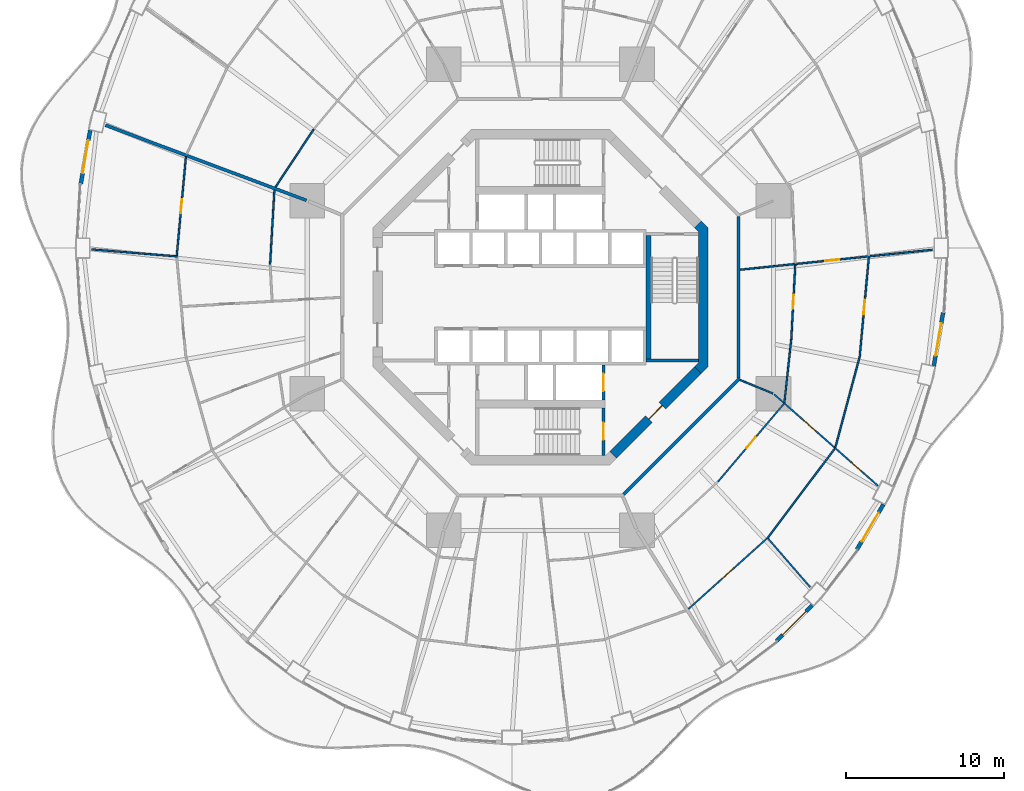
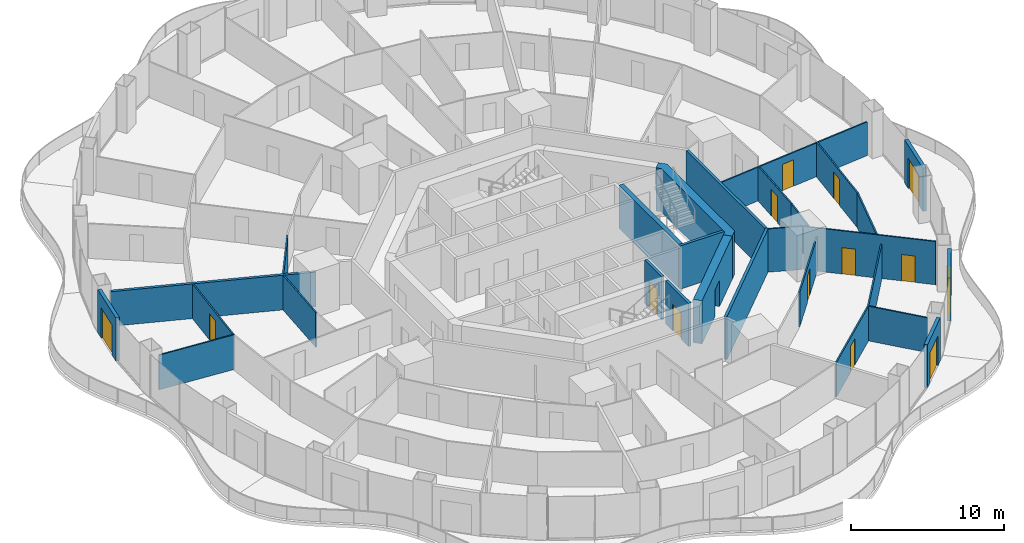
# One storey, part 16 of 22: 28 walls, 15 doors, 15 openings.
"""IFC4 building model written with IfcOpenShell, lengths in metres."""

from ifc_helpers import new_model, si_unit, direction, frame, frame_2d, origin, place, context, subcontext, project, spatial, polyline, rectangle, outline, extrude, material, layer, layer_set, type_object, element, fill, save


model = new_model("IFC4")

# Units and contexts
model_context = context("Model", 3, precision=1e-05, world=origin(), true_north=direction((0.0, 1.0)))
body_context = subcontext(model_context, "Body", "Model", "MODEL_VIEW")
ifc_project = project(units=[si_unit("LENGTHUNIT", "METRE"), si_unit("AREAUNIT", "SQUARE_METRE"), si_unit("VOLUMEUNIT", "CUBIC_METRE"), si_unit("PLANEANGLEUNIT", "RADIAN"), si_unit("MASSUNIT", "GRAM", prefix="KILO")], contexts=[model_context])

# Site, building, storey
site_placement = place(None, origin())
site = spatial("IfcSite", under=ifc_project, at=site_placement, CompositionType="ELEMENT")
building_placement = place(site_placement, origin())
building = spatial("IfcBuilding", under=site, at=building_placement, Name="Nagisa Residences", CompositionType="ELEMENT")
storey_placement = place(building_placement, frame((0.0, 0.0, 106.60009765625)))
storey = spatial("IfcBuildingStorey", under=building, at=storey_placement, Name="L26", CompositionType="ELEMENT", Elevation=106.60009765625)

# Walls
ifc_material_1 = material(Name="Gypsum board on steel studs", Category="steel")
ifc_layer_1 = layer(ifc_material_1, 0.199951171875)
ifc_layer_set_1 = layer_set([ifc_layer_1], Name="Apartment compartment wall EI60 200")
wall_type_1 = type_object("IfcWallType", Name="Apartment compartment wall EI60 200", PredefinedType="PARTITIONING", material=ifc_layer_set_1)
wall_1_placement = place(storey_placement, frame((-14.828857421875, 6.140380859375, 0.0), z_axis=(0.0, 0.0, 1.0), x_axis=(-0.936597324342, 0.35040755134, 0.0)))
element("IfcWall", 1, at=wall_1_placement, inside=storey, type_object=wall_type_1, Name="wall:L26:u03", PredefinedType="PARTITIONING", context=body_context, shape_type="SweptSolid", body=[
    extrude(rectangle(XDim=13.605712890625, YDim=0.199951171875, at=frame_2d((6.802734375, 0.0))), origin(), (0.0, 0.0, 1.0), 2.761962890625),
])
ifc_material_2 = material(Name="Gypsum board on steel studs", Category="steel")
ifc_layer_2 = layer(ifc_material_2, 0.199951171875)
ifc_layer_set_2 = layer_set([ifc_layer_2], Name="Apartment entry wall EI60 200")
wall_type_2 = type_object("IfcWallType", Name="Apartment entry wall EI60 200", PredefinedType="PARTITIONING", material=ifc_layer_set_2)
wall_2_placement = place(storey_placement, frame((12.564697265625, -5.1044921875, 0.0), z_axis=(0.0, 0.0, 1.0), x_axis=(0.0, 1.0, 0.0)))
element("IfcWall", 2, at=wall_2_placement, inside=storey, type_object=wall_type_2, Name="wall:L26:u08", PredefinedType="PARTITIONING", context=body_context, shape_type="SweptSolid", body=[
    extrude(rectangle(XDim=10.208984375, YDim=0.199951171875, at=frame_2d((5.1044921875, 0.0))), origin(), (0.0, 0.0, 1.0), 3.43994140625),
])
wall_3_placement = place(storey_placement, frame((5.275146484375, -12.494140625, 0.0), z_axis=(0.0, 0.0, 1.0), x_axis=(0.707106781187, 0.707106781187, 0.0)))
element("IfcWall", 3, at=wall_3_placement, inside=storey, type_object=wall_type_2, Name="wall:L26:u15", PredefinedType="PARTITIONING", context=body_context, shape_type="SweptSolid", body=[
    extrude(rectangle(XDim=10.4091796875, YDim=0.199951171875, at=frame_2d((5.20458984375, 0.0))), origin(), (0.0, 0.0, 1.0), 3.43994140625),
])

# Wall, opening, door
ifc_material_3 = material(Name="Gypsum board on steel studs", Category="steel")
ifc_layer_3 = layer(ifc_material_3, 0.10009765625)
ifc_layer_set_3 = layer_set([ifc_layer_3], Name="Apartment partition 100")
wall_type_3 = type_object("IfcWallType", Name="Apartment partition 100", PredefinedType="PARTITIONING", material=ifc_layer_set_3)
wall_4_placement = place(storey_placement, frame((12.664306640625, 1.7451171875, 0.0), z_axis=(0.0, 0.0, 1.0), x_axis=(0.994662790212, 0.103179134358, 0.0)))
wall_4 = element("IfcWall", 4, at=wall_4_placement, inside=storey, type_object=wall_type_3, Name="wall:L26:u16", PredefinedType="PARTITIONING", context=body_context, shape_type="SweptSolid", body=[
    extrude(rectangle(XDim=12.2568359375, YDim=0.10009765625, at=frame_2d((6.12841796875, 0.0))), origin(), (0.0, 0.0, 1.0), 2.68701171875),
])
opening_1_placement = place(wall_4_placement, frame((5.413818359375, 0.0, 0.0)))
opening_1 = element("IfcOpeningElement", 5, at=opening_1_placement, cuts=wall_4, Name="Opening L26-U17", PredefinedType="OPENING", context=body_context, shape_type="SweptSolid", body=[
    extrude(rectangle(XDim=0.89990234375, YDim=2.10009765625, at=frame_2d((0.449951171875, 1.050048828125))), frame((0.0, 0.06005859375, 0.0), z_axis=(0.0, -1.0, 0.0), x_axis=(1.0, 0.0, 0.0)), (0.0, 0.0, 1.0), 0.1201171875),
])
ifc_material_4 = material(Name="Timber door set", Category="wood")
door_type_1 = type_object("IfcDoorType", Name="Apartment door 900x2100", OperationType="NOTDEFINED", PredefinedType="DOOR", material=ifc_material_4)
door_1_placement = place(opening_1_placement, frame((0.89990234375, 0.0, 0.0), x_axis=(-1.0, 0.0, 0.0)))
door_1 = element("IfcDoor", 6, at=door_1_placement, inside=storey, type_object=door_type_1, Name="Door to family room, Apartment 26B", OperationType="SINGLE_SWING_RIGHT", OverallHeight=2.10009765625, OverallWidth=0.89990234375, PredefinedType="DOOR", context=body_context, shape_type="SweptSolid", body=[
    extrude(rectangle(XDim=0.89990234375, YDim=2.10009765625, at=frame_2d((0.449951171875, 1.050048828125))), frame((0.0, 0.02490234375, 0.0), z_axis=(0.0, -1.0, 0.0), x_axis=(1.0, 0.0, 0.0)), (0.0, 0.0, 1.0), 0.050048828125),
])
fill(opening_1, door_1)

wall_5_placement = place(storey_placement, frame((16.1611328125, 2.058349609375, 0.0), z_axis=(0.0, 0.0, 1.0), x_axis=(-0.053696394729, -0.998557307916, 0.0)))
wall_5 = element("IfcWall", 7, at=wall_5_placement, inside=storey, type_object=wall_type_3, Name="wall:L26:u18", PredefinedType="PARTITIONING", context=body_context, shape_type="SweptSolid", body=[
    extrude(rectangle(XDim=4.7421875, YDim=0.10009765625, at=frame_2d((2.37109375, 0.0))), origin(), (0.0, 0.0, 1.0), 2.761962890625),
])
opening_2_placement = place(wall_5_placement, frame((1.89599609375, 0.0, 0.0)))
opening_2 = element("IfcOpeningElement", 8, at=opening_2_placement, cuts=wall_5, Name="Opening L26-U20", PredefinedType="OPENING", context=body_context, shape_type="SweptSolid", body=[
    extrude(rectangle(XDim=0.89990234375, YDim=2.10009765625, at=frame_2d((0.449951171875, 1.050048828125))), frame((0.0, 0.06005859375, 0.0), z_axis=(0.0, -1.0, 0.0), x_axis=(1.0, 0.0, 0.0)), (0.0, 0.0, 1.0), 0.1201171875),
])
door_2_placement = place(opening_2_placement, frame((0.89990234375, 0.0, 0.0), x_axis=(-1.0, 0.0, 0.0)))
door_2 = element("IfcDoor", 9, at=door_2_placement, inside=storey, type_object=door_type_1, Name="Door to laundry, Apartment 26B", OperationType="SINGLE_SWING_LEFT", OverallHeight=2.10009765625, OverallWidth=0.89990234375, PredefinedType="DOOR", context=body_context, shape_type="SweptSolid", body=[
    extrude(rectangle(XDim=0.89990234375, YDim=2.10009765625, at=frame_2d((0.449951171875, 1.050048828125))), frame((0.0, 0.02490234375, 0.0), z_axis=(0.0, -1.0, 0.0), x_axis=(1.0, 0.0, 0.0)), (0.0, 0.0, 1.0), 0.050048828125),
])
fill(opening_2, door_2)

wall_6_placement = place(storey_placement, frame((20.824951171875, 2.54248046875, 0.0), z_axis=(0.0, 0.0, 1.0), x_axis=(-0.09140211812, -0.995814065377, 0.0)))
wall_6 = element("IfcWall", 10, at=wall_6_placement, inside=storey, type_object=wall_type_3, Name="wall:L26:u20", PredefinedType="PARTITIONING", context=body_context, shape_type="SweptSolid", body=[
    extrude(rectangle(XDim=6.402587890625, YDim=0.10009765625, at=frame_2d((3.201171875, 0.0))), origin(), (0.0, 0.0, 1.0), 2.761962890625),
])
opening_3_placement = place(wall_6_placement, frame((2.726318359375, 0.0, 0.0)))
opening_3 = element("IfcOpeningElement", 11, at=opening_3_placement, cuts=wall_6, Name="Opening L26-U19", PredefinedType="OPENING", context=body_context, shape_type="SweptSolid", body=[
    extrude(rectangle(XDim=0.89990234375, YDim=2.10009765625, at=frame_2d((0.449951171875, 1.050048828125))), frame((0.0, 0.06005859375, 0.0), z_axis=(0.0, -1.0, 0.0), x_axis=(1.0, 0.0, 0.0)), (0.0, 0.0, 1.0), 0.1201171875),
])
door_3_placement = place(opening_3_placement, origin())
door_3 = element("IfcDoor", 12, at=door_3_placement, inside=storey, type_object=door_type_1, Name="Door to living room, Apartment 26B", OperationType="SINGLE_SWING_LEFT", OverallHeight=2.10009765625, OverallWidth=0.89990234375, PredefinedType="DOOR", context=body_context, shape_type="SweptSolid", body=[
    extrude(rectangle(XDim=0.89990234375, YDim=2.10009765625, at=frame_2d((0.449951171875, 1.050048828125))), frame((0.0, 0.02490234375, 0.0), z_axis=(0.0, -1.0, 0.0), x_axis=(1.0, 0.0, 0.0)), (0.0, 0.0, 1.0), 0.050048828125),
])
fill(opening_3, door_3)

# Walls
wall_7_placement = place(storey_placement, frame((-14.370849609375, 10.64501953125, 0.0), z_axis=(0.0, 0.0, 1.0), x_axis=(-0.553341009285, -0.832954817168, 0.0)))
element("IfcWall", 13, at=wall_7_placement, inside=storey, type_object=wall_type_3, Name="wall:L26:u51", PredefinedType="PARTITIONING", context=body_context, shape_type="SweptSolid", body=[
    extrude(rectangle(XDim=4.396240234375, YDim=0.10009765625, at=frame_2d((2.1982421875, 0.0))), origin(), (0.0, 0.0, 1.0), 2.761962890625),
])
wall_8_placement = place(storey_placement, frame((-16.864501953125, 6.800048828125, 0.0), z_axis=(0.0, 0.0, 1.0), x_axis=(-0.05777584434, -0.998329580755, 0.0)))
element("IfcWall", 14, at=wall_8_placement, inside=storey, type_object=wall_type_3, Name="wall:L26:u54", PredefinedType="PARTITIONING", context=body_context, shape_type="SweptSolid", body=[
    extrude(rectangle(XDim=4.74951171875, YDim=0.10009765625, at=frame_2d((2.374755859375, 0.0))), origin(), (0.0, 0.0, 1.0), 2.761962890625),
])

# Wall, opening, door
wall_9_placement = place(storey_placement, frame((-22.47412109375, 8.897705078125, 0.0), z_axis=(0.0, 0.0, 1.0), x_axis=(-0.092756864489, -0.995688788774, 0.0)))
wall_9 = element("IfcWall", 15, at=wall_9_placement, inside=storey, type_object=wall_type_3, Name="wall:L26:u55", PredefinedType="PARTITIONING", context=body_context, shape_type="SweptSolid", body=[
    extrude(rectangle(XDim=6.28271484375, YDim=0.10009765625, at=frame_2d((3.141357421875, 0.0))), origin(), (0.0, 0.0, 1.0), 2.761962890625),
])
opening_4_placement = place(wall_9_placement, frame((2.69140625, 0.0, 0.0)))
opening_4 = element("IfcOpeningElement", 16, at=opening_4_placement, cuts=wall_9, Name="Opening L26-U46", PredefinedType="OPENING", context=body_context, shape_type="SweptSolid", body=[
    extrude(rectangle(XDim=0.89990234375, YDim=2.10009765625, at=frame_2d((0.449951171875, 1.050048828125))), frame((0.0, 0.06005859375, 0.0), z_axis=(0.0, -1.0, 0.0), x_axis=(1.0, 0.0, 0.0)), (0.0, 0.0, 1.0), 0.1201171875),
])
door_4_placement = place(opening_4_placement, frame((0.89990234375, 0.0, 0.0), x_axis=(-1.0, 0.0, 0.0)))
door_4 = element("IfcDoor", 17, at=door_4_placement, inside=storey, type_object=door_type_1, Name="Door to master bedroom, Apartment 26D", OperationType="SINGLE_SWING_LEFT", OverallHeight=2.10009765625, OverallWidth=0.89990234375, PredefinedType="DOOR", context=body_context, shape_type="SweptSolid", body=[
    extrude(rectangle(XDim=0.89990234375, YDim=2.10009765625, at=frame_2d((0.449951171875, 1.050048828125))), frame((0.0, 0.02490234375, 0.0), z_axis=(0.0, -1.0, 0.0), x_axis=(1.0, 0.0, 0.0)), (0.0, 0.0, 1.0), 0.050048828125),
])
fill(opening_4, door_4)

# Wall
wall_10_placement = place(storey_placement, frame((-23.01171875, 2.588134765625, 0.0), z_axis=(0.0, 0.0, 1.0), x_axis=(-0.996680765347, 0.081409164031, 0.0)))
element("IfcWall", 18, at=wall_10_placement, inside=storey, type_object=wall_type_3, Name="wall:L26:u57", PredefinedType="PARTITIONING", context=body_context, shape_type="SweptSolid", body=[
    extrude(rectangle(XDim=5.4580078125, YDim=0.10009765625, at=frame_2d((2.72900390625, 0.0))), origin(), (0.0, 0.0, 1.0), 2.761962890625),
])

# Wall, opening, door
wall_11_placement = place(storey_placement, frame((9.384033203125, -19.767578125, 0.0), z_axis=(0.0, 0.0, 1.0), x_axis=(0.74387407395, 0.668319805262, 0.0)))
wall_11 = element("IfcWall", 19, at=wall_11_placement, inside=storey, type_object=wall_type_3, Name="wall:L26:u84", PredefinedType="PARTITIONING", context=body_context, shape_type="SweptSolid", body=[
    extrude(rectangle(XDim=6.6953125, YDim=0.10009765625, at=frame_2d((3.34765625, 0.0))), origin(), (0.0, 0.0, 1.0), 2.761962890625),
])
opening_5_placement = place(wall_11_placement, frame((2.897705078125, 0.0, 0.0)))
opening_5 = element("IfcOpeningElement", 20, at=opening_5_placement, cuts=wall_11, Name="Opening L26-U22", PredefinedType="OPENING", context=body_context, shape_type="SweptSolid", body=[
    extrude(rectangle(XDim=0.89990234375, YDim=2.10009765625, at=frame_2d((0.449951171875, 1.050048828125))), frame((0.0, 0.06005859375, 0.0), z_axis=(0.0, -1.0, 0.0), x_axis=(1.0, 0.0, 0.0)), (0.0, 0.0, 1.0), 0.1201171875),
])
door_5_placement = place(opening_5_placement, frame((0.89990234375, 0.0, 0.0), x_axis=(-1.0, 0.0, 0.0)))
door_5 = element("IfcDoor", 21, at=door_5_placement, inside=storey, type_object=door_type_1, Name="Door to kitchen, Apartment 26B", OperationType="SINGLE_SWING_LEFT", OverallHeight=2.10009765625, OverallWidth=0.89990234375, PredefinedType="DOOR", context=body_context, shape_type="SweptSolid", body=[
    extrude(rectangle(XDim=0.89990234375, YDim=2.10009765625, at=frame_2d((0.449951171875, 1.050048828125))), frame((0.0, 0.02490234375, 0.0), z_axis=(0.0, -1.0, 0.0), x_axis=(1.0, 0.0, 0.0)), (0.0, 0.0, 1.0), 0.050048828125),
])
fill(opening_5, door_5)

wall_12_placement = place(storey_placement, frame((11.2548828125, -11.698974609375, 0.0), z_axis=(0.0, 0.0, 1.0), x_axis=(0.64610637779, 0.763247370503, 0.0)))
wall_12 = element("IfcWall", 22, at=wall_12_placement, inside=storey, type_object=wall_type_3, Name="wall:L26:u85", PredefinedType="PARTITIONING", context=body_context, shape_type="SweptSolid", body=[
    extrude(rectangle(XDim=6.467041015625, YDim=0.10009765625, at=frame_2d((3.2333984375, 0.0))), origin(), (0.0, 0.0, 1.0), 2.761962890625),
])
opening_6_placement = place(wall_12_placement, frame((2.80859375, 0.0, 0.0)))
opening_6 = element("IfcOpeningElement", 23, at=opening_6_placement, cuts=wall_12, Name="Opening L26-U24", PredefinedType="OPENING", context=body_context, shape_type="SweptSolid", body=[
    extrude(rectangle(XDim=0.89990234375, YDim=2.10009765625, at=frame_2d((0.449951171875, 1.050048828125))), frame((0.0, 0.06005859375, 0.0), z_axis=(0.0, -1.0, 0.0), x_axis=(1.0, 0.0, 0.0)), (0.0, 0.0, 1.0), 0.1201171875),
])
door_6_placement = place(opening_6_placement, origin())
door_6 = element("IfcDoor", 24, at=door_6_placement, inside=storey, type_object=door_type_1, Name="Door to store, Apartment 26B", OperationType="SINGLE_SWING_RIGHT", OverallHeight=2.10009765625, OverallWidth=0.89990234375, PredefinedType="DOOR", context=body_context, shape_type="SweptSolid", body=[
    extrude(rectangle(XDim=0.89990234375, YDim=2.10009765625, at=frame_2d((0.449951171875, 1.050048828125))), frame((0.0, 0.02490234375, 0.0), z_axis=(0.0, -1.0, 0.0), x_axis=(1.0, 0.0, 0.0)), (0.0, 0.0, 1.0), 0.050048828125),
])
fill(opening_6, door_6)

# Walls
wall_13_placement = place(storey_placement, frame((14.4345703125, -15.29736328125, 0.0), z_axis=(0.0, 0.0, 1.0), x_axis=(0.654405107766, -0.756144136345, 0.0)))
element("IfcWall", 25, at=wall_13_placement, inside=storey, type_object=wall_type_3, Name="wall:L26:u86", PredefinedType="PARTITIONING", context=body_context, shape_type="SweptSolid", body=[
    extrude(rectangle(XDim=4.06982421875, YDim=0.10009765625, at=frame_2d((2.034912109375, 0.0))), origin(), (0.0, 0.0, 1.0), 2.761962890625),
])
wall_14_placement = place(storey_placement, frame((14.371826171875, -15.299560546875, 0.0), z_axis=(0.0, 0.0, 1.0), x_axis=(0.600996629562, 0.79925155693, 0.0)))
element("IfcWall", 26, at=wall_14_placement, inside=storey, type_object=wall_type_3, Name="wall:L26:u87", PredefinedType="PARTITIONING", context=body_context, shape_type="SweptSolid", body=[
    extrude(rectangle(XDim=7.130126953125, YDim=0.10009765625, at=frame_2d((3.56494140625, 0.0))), origin(), (0.0, 0.0, 1.0), 2.761962890625),
])
wall_15_placement = place(storey_placement, frame((12.6572265625, -5.24267578125, 0.0), z_axis=(0.0, 0.0, 1.0), x_axis=(0.923848837015, -0.382757529444, 0.0)))
element("IfcWall", 27, at=wall_15_placement, inside=storey, type_object=wall_type_3, Name="wall:L26:u88", PredefinedType="PARTITIONING", context=body_context, shape_type="SweptSolid", body=[
    extrude(rectangle(XDim=2.249755859375, YDim=0.10009765625, at=frame_2d((1.125, 0.0))), origin(), (0.0, 0.0, 1.0), 3.43994140625),
])

# Wall, openings, doors
wall_16_placement = place(storey_placement, frame((14.819580078125, -6.156005859375, 0.0), z_axis=(0.0, 0.0, 1.0), x_axis=(0.750582231659, -0.660777052808, 0.0)))
wall_16 = element("IfcWall", 28, at=wall_16_placement, inside=storey, type_object=wall_type_3, Name="wall:L26:u89", PredefinedType="PARTITIONING", context=body_context, shape_type="SweptSolid", body=[
    extrude(rectangle(XDim=8.781005859375, YDim=0.10009765625, at=frame_2d((4.390625, 0.0))), origin(), (0.0, 0.0, 1.0), 3.43994140625),
])
opening_7_placement = place(wall_16_placement, frame((2.556884765625, 0.0, 0.0)))
opening_7 = element("IfcOpeningElement", 29, at=opening_7_placement, cuts=wall_16, Name="Opening L26-U21", PredefinedType="OPENING", context=body_context, shape_type="SweptSolid", body=[
    extrude(rectangle(XDim=0.89990234375, YDim=2.10009765625, at=frame_2d((0.449951171875, 1.050048828125))), frame((0.0, 0.06005859375, 0.0), z_axis=(0.0, -1.0, 0.0), x_axis=(1.0, 0.0, 0.0)), (0.0, 0.0, 1.0), 0.1201171875),
])
opening_8_placement = place(wall_16_placement, frame((6.516845703125, 0.0, 0.0)))
opening_8 = element("IfcOpeningElement", 30, at=opening_8_placement, cuts=wall_16, Name="Opening L26-U23", PredefinedType="OPENING", context=body_context, shape_type="SweptSolid", body=[
    extrude(rectangle(XDim=0.89990234375, YDim=2.10009765625, at=frame_2d((0.449951171875, 1.050048828125))), frame((0.0, 0.06005859375, 0.0), z_axis=(0.0, -1.0, 0.0), x_axis=(1.0, 0.0, 0.0)), (0.0, 0.0, 1.0), 0.1201171875),
])
door_7_placement = place(opening_7_placement, frame((0.89990234375, 0.0, 0.0), x_axis=(-1.0, 0.0, 0.0)))
door_7 = element("IfcDoor", 31, at=door_7_placement, inside=storey, type_object=door_type_1, Name="Door to dining room, Apartment 26B", OperationType="SINGLE_SWING_RIGHT", OverallHeight=2.10009765625, OverallWidth=0.89990234375, PredefinedType="DOOR", context=body_context, shape_type="SweptSolid", body=[
    extrude(rectangle(XDim=0.89990234375, YDim=2.10009765625, at=frame_2d((0.449951171875, 1.050048828125))), frame((0.0, 0.02490234375, 0.0), z_axis=(0.0, -1.0, 0.0), x_axis=(1.0, 0.0, 0.0)), (0.0, 0.0, 1.0), 0.050048828125),
])
fill(opening_7, door_7)
door_8_placement = place(opening_8_placement, frame((0.89990234375, 0.0, 0.0), x_axis=(-1.0, 0.0, 0.0)))
door_8 = element("IfcDoor", 32, at=door_8_placement, inside=storey, type_object=door_type_1, Name="Door to master bedroom, Apartment 26B", OperationType="SINGLE_SWING_RIGHT", OverallHeight=2.10009765625, OverallWidth=0.89990234375, PredefinedType="DOOR", context=body_context, shape_type="SweptSolid", body=[
    extrude(rectangle(XDim=0.89990234375, YDim=2.10009765625, at=frame_2d((0.449951171875, 1.050048828125))), frame((0.0, 0.02490234375, 0.0), z_axis=(0.0, -1.0, 0.0), x_axis=(1.0, 0.0, 0.0)), (0.0, 0.0, 1.0), 0.050048828125),
])
fill(opening_8, door_8)

# Walls
wall_17_placement = place(storey_placement, frame((15.47119140625, -6.675048828125, 0.0), z_axis=(0.0, 0.0, 1.0), x_axis=(0.107572661837, 0.994197225114, 0.0)))
element("IfcWall", 33, at=wall_17_placement, inside=storey, type_object=wall_type_3, Name="wall:L26:u90", PredefinedType="PARTITIONING", context=body_context, shape_type="SweptSolid", body=[
    extrude(rectangle(XDim=4.021728515625, YDim=0.10009765625, at=frame_2d((2.0107421875, 0.0))), origin(), (0.0, 0.0, 1.0), 2.761962890625),
])
wall_18_placement = place(storey_placement, frame((18.7001953125, -9.512451171875, 0.0), z_axis=(0.0, 0.0, 1.0), x_axis=(0.260265138035, 0.965537186194, 0.0)))
element("IfcWall", 34, at=wall_18_placement, inside=storey, type_object=wall_type_3, Name="wall:L26:u91", PredefinedType="PARTITIONING", context=body_context, shape_type="SweptSolid", body=[
    extrude(rectangle(XDim=5.883544921875, YDim=0.10009765625, at=frame_2d((2.94189453125, 0.0))), origin(), (0.0, 0.0, 1.0), 2.761962890625),
])

# Wall, opening, door
ifc_material_5 = material(Name="Precast concrete C40/50", Category="concrete")
ifc_layer_4 = layer(ifc_material_5, 0.25)
ifc_layer_set_4 = layer_set([ifc_layer_4], Name="BALCONY DOOR WALL 250")
wall_type_4 = type_object("IfcWallType", Name="BALCONY DOOR WALL 250", PredefinedType="SOLIDWALL", material=ifc_layer_set_4)
wall_19_placement = place(storey_placement, frame((-29.135009765625, 7.209716796875, 0.0), z_axis=(0.0, 0.0, 1.0), x_axis=(0.17223289558, 0.985056257114, 0.0)))
wall_19 = element("IfcWall", 35, at=wall_19_placement, inside=storey, type_object=wall_type_4, Name="wall:L26:bay22", PredefinedType="SOLIDWALL", context=body_context, shape_type="SweptSolid", body=[
    extrude(rectangle(XDim=3.454345703125, YDim=0.25, at=frame_2d((1.72705078125, 0.0))), origin(), (0.0, 0.0, 1.0), 3.43994140625),
])
opening_9_placement = place(wall_19_placement, frame((0.67724609375, 0.0, 0.0)))
opening_9 = element("IfcOpeningElement", 36, at=opening_9_placement, cuts=wall_19, Name="Opening BD-L26-08", PredefinedType="OPENING", context=body_context, shape_type="SweptSolid", body=[
    extrude(rectangle(XDim=2.10009765625, YDim=2.39990234375, at=frame_2d((1.050048828125, 1.199951171875))), frame((0.0, 0.135009765625, 0.0), z_axis=(0.0, -1.0, 0.0), x_axis=(1.0, 0.0, 0.0)), (0.0, 0.0, 1.0), 0.27001953125),
])
ifc_material_6 = material(Name="Aluminium and clear glass", Category="aluminium")
door_type_2 = type_object("IfcDoorType", Name="BALCONY SLIDING DOOR 2100x2400", OperationType="SLIDING_TO_LEFT", PredefinedType="DOOR", material=ifc_material_6)
door_9_placement = place(opening_9_placement, origin())
door_9 = element("IfcDoor", 37, at=door_9_placement, inside=storey, type_object=door_type_2, Name="door:L26:bay22", OperationType="SLIDING_TO_LEFT", OverallHeight=2.39990234375, OverallWidth=2.10009765625, PredefinedType="DOOR", context=body_context, shape_type="SweptSolid", body=[
    extrude(rectangle(XDim=2.10009765625, YDim=2.39990234375, at=frame_2d((1.050048828125, 1.199951171875))), frame((0.0, 0.02490234375, 0.0), z_axis=(0.0, -1.0, 0.0), x_axis=(1.0, 0.0, 0.0)), (0.0, 0.0, 1.0), 0.050048828125),
])
fill(opening_9, door_9)

wall_20_placement = place(storey_placement, frame((17.23486328125, -19.537353515625, 0.0), z_axis=(0.0, 0.0, 1.0), x_axis=(-0.707793551437, -0.706419343269, 0.0)))
wall_20 = element("IfcWall", 38, at=wall_20_placement, inside=storey, type_object=wall_type_4, Name="wall:L26:bay41", PredefinedType="SOLIDWALL", context=body_context, shape_type="SweptSolid", body=[
    extrude(rectangle(XDim=3.19775390625, YDim=0.25, at=frame_2d((1.598876953125, 0.0))), origin(), (0.0, 0.0, 1.0), 3.43994140625),
])
opening_10_placement = place(wall_20_placement, frame((0.548828125, 0.0, 0.0)))
opening_10 = element("IfcOpeningElement", 39, at=opening_10_placement, cuts=wall_20, Name="Opening BD-L26-14", PredefinedType="OPENING", context=body_context, shape_type="SweptSolid", body=[
    extrude(rectangle(XDim=2.10009765625, YDim=2.39990234375, at=frame_2d((1.050048828125, 1.199951171875))), frame((0.0, 0.135009765625, 0.0), z_axis=(0.0, -1.0, 0.0), x_axis=(1.0, 0.0, 0.0)), (0.0, 0.0, 1.0), 0.27001953125),
])
door_10_placement = place(opening_10_placement, origin())
door_10 = element("IfcDoor", 40, at=door_10_placement, inside=storey, type_object=door_type_2, Name="door:L26:bay41", OperationType="SLIDING_TO_LEFT", OverallHeight=2.39990234375, OverallWidth=2.10009765625, PredefinedType="DOOR", context=body_context, shape_type="SweptSolid", body=[
    extrude(rectangle(XDim=2.10009765625, YDim=2.39990234375, at=frame_2d((1.050048828125, 1.199951171875))), frame((0.0, 0.02490234375, 0.0), z_axis=(0.0, -1.0, 0.0), x_axis=(1.0, 0.0, 0.0)), (0.0, 0.0, 1.0), 0.050048828125),
])
fill(opening_10, door_10)

wall_21_placement = place(storey_placement, frame((21.74755859375, -13.136962890625, 0.0), z_axis=(0.0, 0.0, 1.0), x_axis=(-0.506297921217, -0.862358634775, 0.0)))
wall_21 = element("IfcWall", 41, at=wall_21_placement, inside=storey, type_object=wall_type_4, Name="wall:L26:bay43", PredefinedType="SOLIDWALL", context=body_context, shape_type="SweptSolid", body=[
    extrude(rectangle(XDim=3.32470703125, YDim=0.25, at=frame_2d((1.662353515625, 0.0))), origin(), (0.0, 0.0, 1.0), 3.43994140625),
])
opening_11_placement = place(wall_21_placement, frame((0.6123046875, 0.0, 0.0)))
opening_11 = element("IfcOpeningElement", 42, at=opening_11_placement, cuts=wall_21, Name="Opening BD-L26-15", PredefinedType="OPENING", context=body_context, shape_type="SweptSolid", body=[
    extrude(rectangle(XDim=2.10009765625, YDim=2.39990234375, at=frame_2d((1.050048828125, 1.199951171875))), frame((0.0, 0.135009765625, 0.0), z_axis=(0.0, -1.0, 0.0), x_axis=(1.0, 0.0, 0.0)), (0.0, 0.0, 1.0), 0.27001953125),
])
door_11_placement = place(opening_11_placement, origin())
door_11 = element("IfcDoor", 43, at=door_11_placement, inside=storey, type_object=door_type_2, Name="door:L26:bay43", OperationType="SLIDING_TO_LEFT", OverallHeight=2.39990234375, OverallWidth=2.10009765625, PredefinedType="DOOR", context=body_context, shape_type="SweptSolid", body=[
    extrude(rectangle(XDim=2.10009765625, YDim=2.39990234375, at=frame_2d((1.050048828125, 1.199951171875))), frame((0.0, 0.02490234375, 0.0), z_axis=(0.0, -1.0, 0.0), x_axis=(1.0, 0.0, 0.0)), (0.0, 0.0, 1.0), 0.050048828125),
])
fill(opening_11, door_11)

wall_22_placement = place(storey_placement, frame((25.534912109375, -0.974365234375, 0.0), z_axis=(0.0, 0.0, 1.0), x_axis=(-0.172164316671, -0.985068245385, 0.0)))
wall_22 = element("IfcWall", 44, at=wall_22_placement, inside=storey, type_object=wall_type_4, Name="wall:L26:bay46", PredefinedType="SOLIDWALL", context=body_context, shape_type="SweptSolid", body=[
    extrude(rectangle(XDim=3.454345703125, YDim=0.25, at=frame_2d((1.72705078125, 0.0))), origin(), (0.0, 0.0, 1.0), 3.43994140625),
])
opening_12_placement = place(wall_22_placement, frame((0.67724609375, 0.0, 0.0)))
opening_12 = element("IfcOpeningElement", 45, at=opening_12_placement, cuts=wall_22, Name="Opening BD-L26-16", PredefinedType="OPENING", context=body_context, shape_type="SweptSolid", body=[
    extrude(rectangle(XDim=2.10009765625, YDim=2.39990234375, at=frame_2d((1.050048828125, 1.199951171875))), frame((0.0, 0.135009765625, 0.0), z_axis=(0.0, -1.0, 0.0), x_axis=(1.0, 0.0, 0.0)), (0.0, 0.0, 1.0), 0.27001953125),
])
door_12_placement = place(opening_12_placement, origin())
door_12 = element("IfcDoor", 46, at=door_12_placement, inside=storey, type_object=door_type_2, Name="door:L26:bay46", OperationType="SLIDING_TO_LEFT", OverallHeight=2.39990234375, OverallWidth=2.10009765625, PredefinedType="DOOR", context=body_context, shape_type="SweptSolid", body=[
    extrude(rectangle(XDim=2.10009765625, YDim=2.39990234375, at=frame_2d((1.050048828125, 1.199951171875))), frame((0.0, 0.02490234375, 0.0), z_axis=(0.0, -1.0, 0.0), x_axis=(1.0, 0.0, 0.0)), (0.0, 0.0, 1.0), 0.050048828125),
])
fill(opening_12, door_12)

ifc_material_7 = material(Name="Concrete C60", Category="concrete")
ifc_layer_5 = layer(ifc_material_7, 0.60009765625)
ifc_layer_set_5 = layer_set([ifc_layer_5], Name="Core shear wall 600")
wall_type_5 = type_object("IfcWallType", Name="Core shear wall 600", PredefinedType="SHEAR", material=ifc_layer_set_5)
wall_23_placement = place(storey_placement, frame((4.613037109375, -9.98828125, 0.0), z_axis=(0.0, 0.0, 1.0), x_axis=(0.707106781187, 0.707106781187, 0.0)))
wall_23 = element("IfcWall", 47, at=wall_23_placement, inside=storey, type_object=wall_type_5, Name="wall:L26:core:flat7", PredefinedType="SHEAR", context=body_context, shape_type="SweptSolid", body=[
    extrude(rectangle(XDim=7.601806640625, YDim=0.60009765625, at=frame_2d((3.80078125, 0.0))), origin(), (0.0, 0.0, 1.0), 3.43994140625),
])
opening_13_placement = place(wall_23_placement, frame((3.200927734375, 0.0, 0.0)))
opening_13 = element("IfcOpeningElement", 48, at=opening_13_placement, cuts=wall_23, Name="Opening L26-C18", PredefinedType="OPENING", context=body_context, shape_type="SweptSolid", body=[
    extrude(rectangle(XDim=1.199951171875, YDim=2.10009765625, at=frame_2d((0.60009765625, 1.050048828125))), frame((0.0, 0.31005859375, 0.0), z_axis=(0.0, -1.0, 0.0), x_axis=(1.0, 0.0, 0.0)), (0.0, 0.0, 1.0), 0.6201171875),
])
ifc_material_8 = material(Name="Steel fire door", Category="steel")
door_type_3 = type_object("IfcDoorType", Name="Fire door EI60 1200x2100 single swing", OperationType="NOTDEFINED", PredefinedType="DOOR", material=ifc_material_8)
door_13_placement = place(opening_13_placement, origin())
door_13 = element("IfcDoor", 49, at=door_13_placement, inside=storey, type_object=door_type_3, Name="Firefighting lobby 2 door L26", OperationType="SINGLE_SWING_RIGHT", OverallHeight=2.10009765625, OverallWidth=1.199951171875, PredefinedType="DOOR", context=body_context, shape_type="SweptSolid", body=[
    extrude(rectangle(XDim=1.199951171875, YDim=2.10009765625, at=frame_2d((0.60009765625, 1.050048828125))), frame((0.0, 0.02490234375, 0.0), z_axis=(0.0, -1.0, 0.0), x_axis=(1.0, 0.0, 0.0)), (0.0, 0.0, 1.0), 0.050048828125),
])
fill(opening_13, door_13)

# Wall
wall_24_placement = place(storey_placement, origin())
element("IfcWall", 50, at=wall_24_placement, inside=storey, type_object=wall_type_5, Name="wall:L26:core:flat0", PredefinedType="SHEAR", context=body_context, shape_type="SweptSolid", body=[
    extrude(outline(polyline([(9.776123046875, -4.40087890625), (10.024658203125, -4.15234375), (10.024658203125, -3.801025390625), (10.024658203125, 4.15234375), (9.776123046875, 4.40087890625), (10.200439453125, 4.8251953125), (10.62451171875, 4.40087890625), (10.62451171875, -4.40087890625), (10.200439453125, -4.8251953125), (9.776123046875, -4.40087890625)])), origin(), (0.0, 0.0, 1.0), 3.43994140625),
])

# Wall, opening, door
ifc_material_9 = material(Name="Concrete C60", Category="concrete")
ifc_layer_6 = layer(ifc_material_9, 0.199951171875)
ifc_layer_set_6 = layer_set([ifc_layer_6], Name="Lift shaft wall 200")
wall_type_6 = type_object("IfcWallType", Name="Lift shaft wall 200", PredefinedType="SOLIDWALL", material=ifc_layer_set_6)
wall_25_placement = place(storey_placement, frame((4.0, -6.5, 0.0), z_axis=(0.0, 0.0, 1.0), x_axis=(0.0, 1.0, 0.0)))
wall_25 = element("IfcWall", 51, at=wall_25_placement, inside=storey, type_object=wall_type_6, Name="wall:L26:Sb3", PredefinedType="SOLIDWALL", context=body_context, shape_type="SweptSolid", body=[
    extrude(rectangle(XDim=2.199951171875, YDim=0.199951171875, at=frame_2d((1.10009765625, 0.0))), origin(), (0.0, 0.0, 1.0), 3.43994140625),
])
opening_14_placement = place(wall_25_placement, frame((0.550048828125, 0.0, 0.0)))
opening_14 = element("IfcOpeningElement", 52, at=opening_14_placement, cuts=wall_25, Name="Opening L26-C07", PredefinedType="OPENING", context=body_context, shape_type="SweptSolid", body=[
    extrude(rectangle(XDim=1.10009765625, YDim=2.10009765625, at=frame_2d((0.550048828125, 1.050048828125))), frame((0.0, 0.10986328125, 0.0), z_axis=(0.0, -1.0, 0.0), x_axis=(1.0, 0.0, 0.0)), (0.0, 0.0, 1.0), 0.219970703125),
])
ifc_material_10 = material(Name="Stainless steel", Category="steel")
door_type_4 = type_object("IfcDoorType", Name="Lift landing door 1100x2100", OperationType="DOUBLE_DOOR_SLIDING", PredefinedType="DOOR", material=ifc_material_10)
door_14_placement = place(opening_14_placement, origin())
door_14 = element("IfcDoor", 53, at=door_14_placement, inside=storey, type_object=door_type_4, Name="Landing door FL2 L26", OperationType="DOUBLE_DOOR_SLIDING", OverallHeight=2.10009765625, OverallWidth=1.10009765625, PredefinedType="DOOR", context=body_context, shape_type="SweptSolid", body=[
    extrude(rectangle(XDim=1.10009765625, YDim=2.10009765625, at=frame_2d((0.550048828125, 1.050048828125))), frame((0.0, 0.02490234375, 0.0), z_axis=(0.0, -1.0, 0.0), x_axis=(1.0, 0.0, 0.0)), (0.0, 0.0, 1.0), 0.050048828125),
])
fill(opening_14, door_14)

ifc_material_11 = material(Name="Concrete C60", Category="concrete")
ifc_layer_7 = layer(ifc_material_11, 0.199951171875)
ifc_layer_set_7 = layer_set([ifc_layer_7], Name="Stair enclosure wall 200")
wall_type_7 = type_object("IfcWallType", Name="Stair enclosure wall 200", PredefinedType="SOLIDWALL", material=ifc_layer_set_7)
wall_26_placement = place(storey_placement, frame((4.0, -10.024658203125, 0.0), z_axis=(0.0, 0.0, 1.0), x_axis=(0.0, 1.0, 0.0)))
wall_26 = element("IfcWall", 54, at=wall_26_placement, inside=storey, type_object=wall_type_7, Name="wall:L26:SS_e", PredefinedType="SOLIDWALL", context=body_context, shape_type="SweptSolid", body=[
    extrude(rectangle(XDim=3.0, YDim=0.199951171875, at=frame_2d((1.5, 0.0))), origin(), (0.0, 0.0, 1.0), 3.43994140625),
])
opening_15_placement = place(wall_26_placement, frame((0.974609375, 0.0, 0.0)))
opening_15 = element("IfcOpeningElement", 55, at=opening_15_placement, cuts=wall_26, Name="Opening L26-C11", PredefinedType="OPENING", context=body_context, shape_type="SweptSolid", body=[
    extrude(rectangle(XDim=1.10009765625, YDim=2.10009765625, at=frame_2d((0.550048828125, 1.050048828125))), frame((0.0, 0.10986328125, 0.0), z_axis=(0.0, -1.0, 0.0), x_axis=(1.0, 0.0, 0.0)), (0.0, 0.0, 1.0), 0.219970703125),
])
ifc_material_12 = material(Name="Steel fire door", Category="steel")
door_type_5 = type_object("IfcDoorType", Name="Fire door EI90 1100x2100 single swing", OperationType="NOTDEFINED", PredefinedType="DOOR", material=ifc_material_12)
door_15_placement = place(opening_15_placement, origin())
door_15 = element("IfcDoor", 56, at=door_15_placement, inside=storey, type_object=door_type_5, Name="Stair door ST-S L26", OperationType="SINGLE_SWING_RIGHT", OverallHeight=2.10009765625, OverallWidth=1.10009765625, PredefinedType="DOOR", context=body_context, shape_type="SweptSolid", body=[
    extrude(rectangle(XDim=1.10009765625, YDim=2.10009765625, at=frame_2d((0.550048828125, 1.050048828125))), frame((0.0, 0.02490234375, 0.0), z_axis=(0.0, -1.0, 0.0), x_axis=(1.0, 0.0, 0.0)), (0.0, 0.0, 1.0), 0.050048828125),
])
fill(opening_15, door_15)

# Walls
wall_27_placement = place(storey_placement, origin())
element("IfcWall", 57, at=wall_27_placement, inside=storey, type_object=wall_type_7, Name="wall:L26:SE_w", PredefinedType="SOLIDWALL", context=body_context, shape_type="SweptSolid", body=[
    extrude(outline(polyline([(7.024658203125, -3.89990234375), (6.699951171875, -3.89990234375), (6.699951171875, 3.89990234375), (7.024658203125, 3.89990234375), (7.024658203125, -3.89990234375)])), origin(), (0.0, 0.0, 1.0), 3.43994140625),
])
wall_28_placement = place(storey_placement, origin())
element("IfcWall", 58, at=wall_28_placement, inside=storey, type_object=wall_type_7, Name="wall:L26:SE_s", PredefinedType="SOLIDWALL", context=body_context, shape_type="SweptSolid", body=[
    extrude(outline(polyline([(10.024658203125, -4.10009765625), (6.699951171875, -4.10009765625), (6.699951171875, -3.89990234375), (10.024658203125, -3.89990234375), (10.024658203125, -4.10009765625)])), origin(), (0.0, 0.0, 1.0), 3.43994140625),
])

save(model, "model.ifc")
